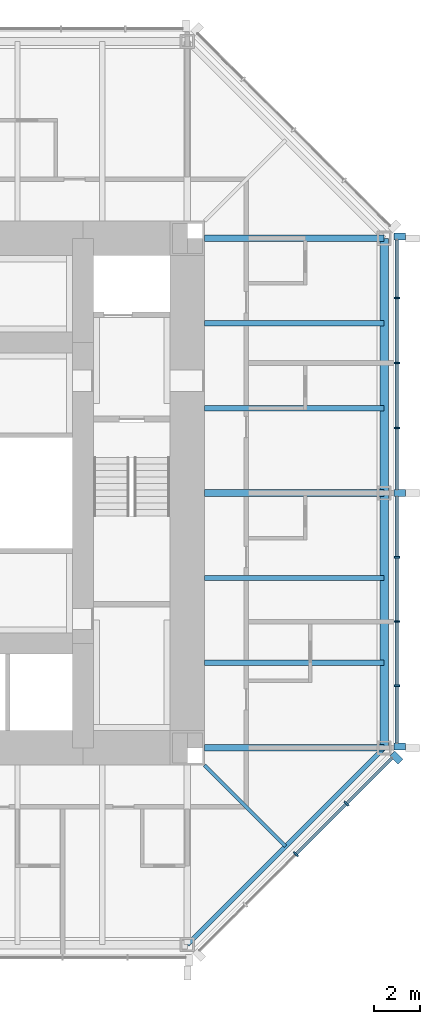
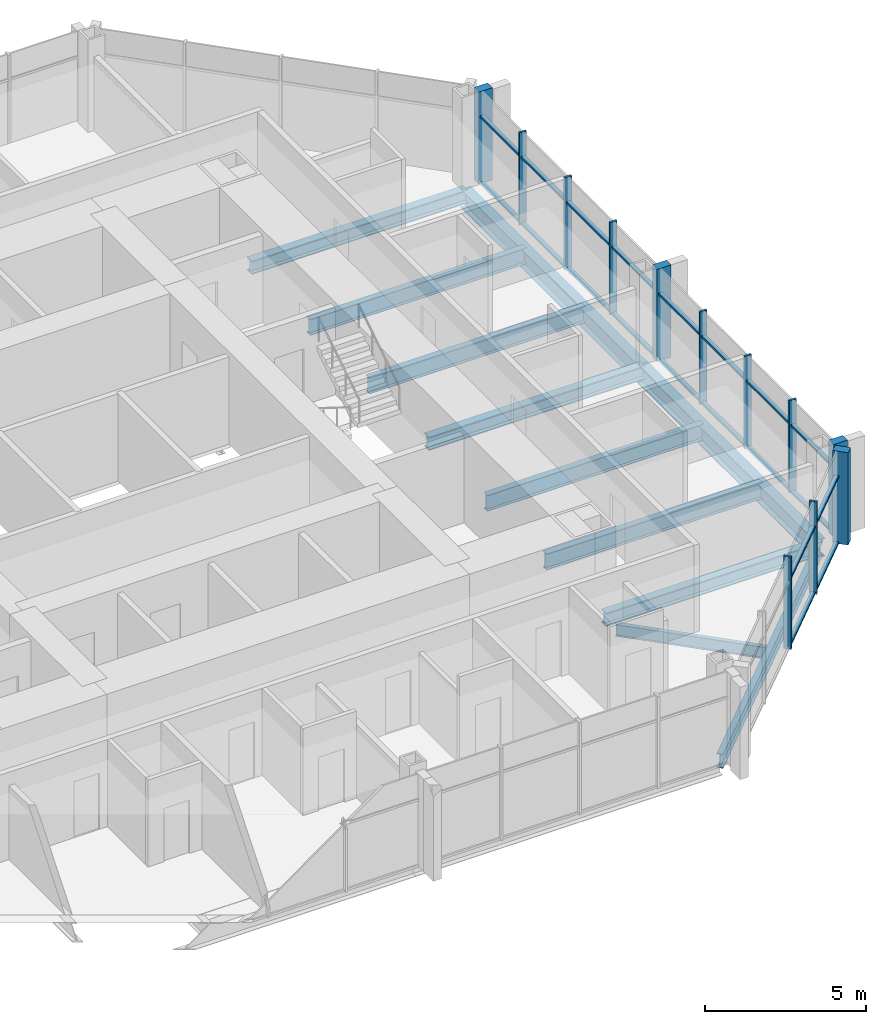
# One storey, part 4 of 12: 32 members, 11 beams, 2 elements without a shape of their own.
"""IFC4 building model written with IfcOpenShell, lengths in metres."""

from ifc_helpers import new_model, si_unit, direction, frame, origin, origin_2d, place, context, subcontext, project, spatial, rectangle, i_section, extrude, material, material_profile, profile_set, type_object, element, aggregate, save


model = new_model("IFC4")

# Units and contexts
model_context = context("Model", 3, precision=1e-05, world=origin(), true_north=direction((0.0, 1.0)))
body_context = subcontext(model_context, "Body", "Model", "MODEL_VIEW")
ifc_project = project(units=[si_unit("LENGTHUNIT", "METRE"), si_unit("AREAUNIT", "SQUARE_METRE"), si_unit("VOLUMEUNIT", "CUBIC_METRE"), si_unit("PLANEANGLEUNIT", "RADIAN"), si_unit("MASSUNIT", "GRAM", prefix="KILO")], contexts=[model_context])

# Site, building, storey
site_placement = place(None, origin())
site = spatial("IfcSite", under=ifc_project, at=site_placement, CompositionType="ELEMENT")
building_placement = place(site_placement, origin())
building = spatial("IfcBuilding", under=site, at=building_placement, Name="Trevanion Tower", CompositionType="ELEMENT")
storey_placement = place(building_placement, frame((0.0, 0.0, 201.199951171875)))
storey = spatial("IfcBuildingStorey", under=building, at=storey_placement, Name="L47", CompositionType="ELEMENT", Elevation=201.199951171875)

# Beams
ifc_material_1 = material(Name="Steel ASTM A992 Grade 50", Category="steel")
ifc_material_profile_1 = material_profile(ifc_material_1, i_section(OverallWidth=0.228271484375, OverallDepth=0.607177734375, WebThickness=0.01123046875, FlangeThickness=0.017333984375, at=origin_2d()), Name="W24X76")
ifc_profile_set_1 = profile_set([ifc_material_profile_1], Name="Steel ASTM A992 Grade 50")
beam_type_1 = type_object("IfcBeamType", Name="B11 W24X76", PredefinedType="BEAM", material=ifc_profile_set_1)
for number, where, z_axis, x_axis, name in (
    (1, (11.75, -7.333251953125, -0.493408203125), (1.0, 0.0, 0.0), (0.0, 1.0, 0.0), "B11 L47"),
    (2, (11.75, -3.666748046875, -0.493408203125), (1.0, 0.0, 0.0), (0.0, 1.0, 0.0), "B11 L47"),
    (3, (11.75, 3.666748046875, -0.493408203125), (1.0, 0.0, 0.0), (0.0, 1.0, 0.0), "B11 L47"),
    (4, (11.75, 7.333251953125, -0.493408203125), (1.0, 0.0, 0.0), (0.0, 1.0, 0.0), "B11 L47"),
):
    element("IfcBeam", number, at=place(storey_placement, frame(where, z_axis=z_axis, x_axis=x_axis)), inside=storey, type_object=beam_type_1, Name=name, PredefinedType="BEAM", context=body_context, shape_type="SweptSolid", body=[
        extrude(i_section(OverallWidth=0.228271484375, OverallDepth=0.607177734375, WebThickness=0.01123046875, FlangeThickness=0.017333984375, at=origin_2d()), origin(), (0.0, 0.0, 1.0), 7.75),
    ])
ifc_material_2 = material(Name="Steel ASTM A992 Grade 50", Category="steel")
ifc_material_profile_2 = material_profile(ifc_material_2, i_section(OverallWidth=0.15234375, OverallDepth=0.449462890625, WebThickness=0.007568359375, FlangeThickness=0.0107421875, at=origin_2d()), Name="W18X35")
ifc_profile_set_2 = profile_set([ifc_material_profile_2], Name="Steel ASTM A992 Grade 50")
beam_type_2 = type_object("IfcBeamType", Name="B12 W18X35", PredefinedType="BEAM", material=ifc_profile_set_2)
beam_1_placement = place(storey_placement, frame((11.75, -11.75, -0.414794921875), z_axis=(0.707106781187, -0.707106781187, 0.0), x_axis=(0.707106781187, 0.707106781187, 0.0)))
element("IfcBeam", 5, at=beam_1_placement, inside=storey, type_object=beam_type_2, Name="B12 L47", PredefinedType="BEAM", context=body_context, shape_type="SweptSolid", body=[
    extrude(i_section(OverallWidth=0.15234375, OverallDepth=0.449462890625, WebThickness=0.007568359375, FlangeThickness=0.0107421875, at=origin_2d()), origin(), (0.0, 0.0, 1.0), 4.94970703125),
])

# Curtain wall, members
ifc_material_3 = material(Name="Aluminium and glass", Category="aluminium")
curtain_wall_type = type_object("IfcCurtainWallType", Name="CW3 curtain wall", PredefinedType="USERDEFINED", material=ifc_material_3)
curtain_wall_1_placement = place(storey_placement, origin())
curtain_wall_1 = element("IfcCurtainWall", 6, at=curtain_wall_1_placement, inside=storey, type_object=curtain_wall_type, Name="CW3 L47 0", ObjectType="UNITISED CURTAIN WALL", PredefinedType="USERDEFINED")
ifc_material_4 = material(Name="Aluminium extrusion, anodised bronze", Category="aluminium")
ifc_material_profile_3 = material_profile(ifc_material_4, rectangle(XDim=0.074951171875, YDim=0.25, at=origin_2d()), Name="CW3 mullion")
ifc_profile_set_3 = profile_set([ifc_material_profile_3], Name="Aluminium extrusion, anodised bronze")
member_type_1 = type_object("IfcMemberType", Name="CW3 mullion", PredefinedType="MULLION", material=ifc_profile_set_3)
member_1_placement = place(storey_placement, frame((20.050048828125, -8.323486328125, -0.18994140625), z_axis=(0.0, 0.0, 1.0), x_axis=(0.0, 1.0, 0.0)))
member_1 = element("IfcMember", 7, at=member_1_placement, type_object=member_type_1, Name="CW3 mullion 2", PredefinedType="MULLION", context=body_context, shape_type="SweptSolid", body=[
    extrude(rectangle(XDim=0.074951171875, YDim=0.25, at=origin_2d()), origin(), (0.0, 0.0, 1.0), 3.5),
])
member_2_placement = place(storey_placement, frame((20.050048828125, -5.548828125, -0.18994140625), z_axis=(0.0, 0.0, 1.0), x_axis=(0.0, 1.0, 0.0)))
member_2 = element("IfcMember", 8, at=member_2_placement, type_object=member_type_1, Name="CW3 mullion 3", PredefinedType="MULLION", context=body_context, shape_type="SweptSolid", body=[
    extrude(rectangle(XDim=0.074951171875, YDim=0.25, at=origin_2d()), origin(), (0.0, 0.0, 1.0), 3.5),
])
member_3_placement = place(storey_placement, frame((20.050048828125, -2.7744140625, -0.18994140625), z_axis=(0.0, 0.0, 1.0), x_axis=(0.0, 1.0, 0.0)))
member_3 = element("IfcMember", 9, at=member_3_placement, type_object=member_type_1, Name="CW3 mullion 4", PredefinedType="MULLION", context=body_context, shape_type="SweptSolid", body=[
    extrude(rectangle(XDim=0.074951171875, YDim=0.25, at=origin_2d()), origin(), (0.0, 0.0, 1.0), 3.5),
])
member_4_placement = place(storey_placement, frame((20.050048828125, 2.806884765625, -0.18994140625), z_axis=(0.0, 0.0, 1.0), x_axis=(0.0, 1.0, 0.0)))
member_4 = element("IfcMember", 10, at=member_4_placement, type_object=member_type_1, Name="CW3 mullion 6", PredefinedType="MULLION", context=body_context, shape_type="SweptSolid", body=[
    extrude(rectangle(XDim=0.074951171875, YDim=0.25, at=origin_2d()), origin(), (0.0, 0.0, 1.0), 3.5),
])
member_5_placement = place(storey_placement, frame((20.050048828125, 5.614013671875, -0.18994140625), z_axis=(0.0, 0.0, 1.0), x_axis=(0.0, 1.0, 0.0)))
member_5 = element("IfcMember", 11, at=member_5_placement, type_object=member_type_1, Name="CW3 mullion 7", PredefinedType="MULLION", context=body_context, shape_type="SweptSolid", body=[
    extrude(rectangle(XDim=0.074951171875, YDim=0.25, at=origin_2d()), origin(), (0.0, 0.0, 1.0), 3.5),
])
member_6_placement = place(storey_placement, frame((20.050048828125, 8.4208984375, -0.18994140625), z_axis=(0.0, 0.0, 1.0), x_axis=(0.0, 1.0, 0.0)))
member_6 = element("IfcMember", 12, at=member_6_placement, type_object=member_type_1, Name="CW3 mullion 8", PredefinedType="MULLION", context=body_context, shape_type="SweptSolid", body=[
    extrude(rectangle(XDim=0.074951171875, YDim=0.25, at=origin_2d()), origin(), (0.0, 0.0, 1.0), 3.5),
])

curtain_wall_2_placement = place(storey_placement, origin())
curtain_wall_2 = element("IfcCurtainWall", 13, at=curtain_wall_2_placement, inside=storey, type_object=curtain_wall_type, Name="CW3 L47 7", ObjectType="UNITISED CURTAIN WALL", PredefinedType="USERDEFINED")
member_7_placement = place(storey_placement, frame((15.684814453125, -15.593017578125, -0.18994140625), z_axis=(0.0, 0.0, 1.0), x_axis=(0.707106781187, 0.707106781187, 0.0)))
member_7 = element("IfcMember", 14, at=member_7_placement, type_object=member_type_1, Name="CW3 mullion 3", PredefinedType="MULLION", context=body_context, shape_type="SweptSolid", body=[
    extrude(rectangle(XDim=0.074951171875, YDim=0.25, at=origin_2d()), origin(), (0.0, 0.0, 1.0), 3.5),
])
member_8_placement = place(storey_placement, frame((17.867431640625, -13.410400390625, -0.18994140625), z_axis=(0.0, 0.0, 1.0), x_axis=(0.707106781187, 0.707106781187, 0.0)))
member_8 = element("IfcMember", 15, at=member_8_placement, type_object=member_type_1, Name="CW3 mullion 4", PredefinedType="MULLION", context=body_context, shape_type="SweptSolid", body=[
    extrude(rectangle(XDim=0.074951171875, YDim=0.25, at=origin_2d()), origin(), (0.0, 0.0, 1.0), 3.5),
])

# Member
ifc_material_5 = material(Name="Aluminium extrusion, anodised bronze", Category="aluminium")
ifc_material_profile_4 = material_profile(ifc_material_5, rectangle(XDim=0.300048828125, YDim=0.5, at=origin_2d()), Name="CW3 pier mullion")
ifc_profile_set_4 = profile_set([ifc_material_profile_4], Name="Aluminium extrusion, anodised bronze")
member_type_2 = type_object("IfcMemberType", Name="CW3 pier mullion", PredefinedType="MULLION", material=ifc_profile_set_4)
member_9_placement = place(storey_placement, frame((20.175048828125, -10.94775390625, -0.18994140625), z_axis=(0.0, 0.0, 1.0), x_axis=(0.0, 1.0, 0.0)))
member_9 = element("IfcMember", 16, at=member_9_placement, type_object=member_type_2, Name="CW3 pier mullion 1", PredefinedType="MULLION", context=body_context, shape_type="SweptSolid", body=[
    extrude(rectangle(XDim=0.300048828125, YDim=0.5, at=origin_2d()), origin(), (0.0, 0.0, 1.0), 3.5),
])

member_10_placement = place(storey_placement, frame((20.175048828125, 0.0, -0.18994140625), z_axis=(0.0, 0.0, 1.0), x_axis=(0.0, 1.0, 0.0)))
member_10 = element("IfcMember", 17, at=member_10_placement, type_object=member_type_2, Name="CW3 pier mullion 5", PredefinedType="MULLION", context=body_context, shape_type="SweptSolid", body=[
    extrude(rectangle(XDim=0.300048828125, YDim=0.5, at=origin_2d()), origin(), (0.0, 0.0, 1.0), 3.5),
])

member_11_placement = place(storey_placement, frame((20.175048828125, 11.077880859375, -0.18994140625), z_axis=(0.0, 0.0, 1.0), x_axis=(0.0, 1.0, 0.0)))
member_11 = element("IfcMember", 18, at=member_11_placement, type_object=member_type_2, Name="CW3 pier mullion 9", PredefinedType="MULLION", context=body_context, shape_type="SweptSolid", body=[
    extrude(rectangle(XDim=0.300048828125, YDim=0.5, at=origin_2d()), origin(), (0.0, 0.0, 1.0), 3.5),
])

member_12_placement = place(storey_placement, frame((20.0322265625, -11.42236328125, -0.18994140625), z_axis=(0.0, 0.0, 1.0), x_axis=(0.707106781187, 0.707106781187, 0.0)))
member_12 = element("IfcMember", 19, at=member_12_placement, type_object=member_type_2, Name="CW3 pier mullion 5", PredefinedType="MULLION", context=body_context, shape_type="SweptSolid", body=[
    extrude(rectangle(XDim=0.300048828125, YDim=0.5, at=origin_2d()), origin(), (0.0, 0.0, 1.0), 3.5),
])

ifc_material_6 = material(Name="Aluminium extrusion, anodised bronze", Category="aluminium")
ifc_material_profile_5 = material_profile(ifc_material_6, rectangle(XDim=0.14990234375, YDim=0.074951171875, at=origin_2d()), Name="CW3 transom")
ifc_profile_set_5 = profile_set([ifc_material_profile_5], Name="Aluminium extrusion, anodised bronze")
member_type_3 = type_object("IfcMemberType", Name="CW3 transom", PredefinedType="USERDEFINED", material=ifc_profile_set_5)
member_13_placement = place(storey_placement, frame((20.050048828125, -10.7978515625, -0.15234375), z_axis=(0.0, 1.0, 0.0), x_axis=(-1.0, 0.0, 0.0)))
member_13 = element("IfcMember", 20, at=member_13_placement, type_object=member_type_3, Name="CW3 transom 1.1", ObjectType="TRANSOM", PredefinedType="USERDEFINED", context=body_context, shape_type="SweptSolid", body=[
    extrude(rectangle(XDim=0.14990234375, YDim=0.074951171875, at=origin_2d()), origin(), (0.0, 0.0, 1.0), 2.43701171875),
])

member_14_placement = place(storey_placement, frame((20.050048828125, -10.7978515625, 2.360107421875), z_axis=(0.0, 1.0, 0.0), x_axis=(-1.0, 0.0, 0.0)))
member_14 = element("IfcMember", 21, at=member_14_placement, type_object=member_type_3, Name="CW3 transom 1.2", ObjectType="TRANSOM", PredefinedType="USERDEFINED", context=body_context, shape_type="SweptSolid", body=[
    extrude(rectangle(XDim=0.14990234375, YDim=0.074951171875, at=origin_2d()), origin(), (0.0, 0.0, 1.0), 2.43701171875),
])

member_15_placement = place(storey_placement, frame((20.050048828125, -8.285888671875, -0.15234375), z_axis=(0.0, 1.0, 0.0), x_axis=(-1.0, 0.0, 0.0)))
member_15 = element("IfcMember", 22, at=member_15_placement, type_object=member_type_3, Name="CW3 transom 2.1", ObjectType="TRANSOM", PredefinedType="USERDEFINED", context=body_context, shape_type="SweptSolid", body=[
    extrude(rectangle(XDim=0.14990234375, YDim=0.074951171875, at=origin_2d()), origin(), (0.0, 0.0, 1.0), 2.699462890625),
])

member_16_placement = place(storey_placement, frame((20.050048828125, -8.285888671875, 2.360107421875), z_axis=(0.0, 1.0, 0.0), x_axis=(-1.0, 0.0, 0.0)))
member_16 = element("IfcMember", 23, at=member_16_placement, type_object=member_type_3, Name="CW3 transom 2.2", ObjectType="TRANSOM", PredefinedType="USERDEFINED", context=body_context, shape_type="SweptSolid", body=[
    extrude(rectangle(XDim=0.14990234375, YDim=0.074951171875, at=origin_2d()), origin(), (0.0, 0.0, 1.0), 2.699462890625),
])

member_17_placement = place(storey_placement, frame((20.050048828125, -5.511474609375, -0.15234375), z_axis=(0.0, 1.0, 0.0), x_axis=(-1.0, 0.0, 0.0)))
member_17 = element("IfcMember", 24, at=member_17_placement, type_object=member_type_3, Name="CW3 transom 3.1", ObjectType="TRANSOM", PredefinedType="USERDEFINED", context=body_context, shape_type="SweptSolid", body=[
    extrude(rectangle(XDim=0.14990234375, YDim=0.074951171875, at=origin_2d()), origin(), (0.0, 0.0, 1.0), 2.699462890625),
])

member_18_placement = place(storey_placement, frame((20.050048828125, -5.511474609375, 2.360107421875), z_axis=(0.0, 1.0, 0.0), x_axis=(-1.0, 0.0, 0.0)))
member_18 = element("IfcMember", 25, at=member_18_placement, type_object=member_type_3, Name="CW3 transom 3.2", ObjectType="TRANSOM", PredefinedType="USERDEFINED", context=body_context, shape_type="SweptSolid", body=[
    extrude(rectangle(XDim=0.14990234375, YDim=0.074951171875, at=origin_2d()), origin(), (0.0, 0.0, 1.0), 2.699462890625),
])

member_19_placement = place(storey_placement, frame((20.050048828125, -2.737060546875, -0.15234375), z_axis=(0.0, 1.0, 0.0), x_axis=(-1.0, 0.0, 0.0)))
member_19 = element("IfcMember", 26, at=member_19_placement, type_object=member_type_3, Name="CW3 transom 4.1", ObjectType="TRANSOM", PredefinedType="USERDEFINED", context=body_context, shape_type="SweptSolid", body=[
    extrude(rectangle(XDim=0.14990234375, YDim=0.074951171875, at=origin_2d()), origin(), (0.0, 0.0, 1.0), 2.587158203125),
])

member_20_placement = place(storey_placement, frame((20.050048828125, -2.737060546875, 2.360107421875), z_axis=(0.0, 1.0, 0.0), x_axis=(-1.0, 0.0, 0.0)))
member_20 = element("IfcMember", 27, at=member_20_placement, type_object=member_type_3, Name="CW3 transom 4.2", ObjectType="TRANSOM", PredefinedType="USERDEFINED", context=body_context, shape_type="SweptSolid", body=[
    extrude(rectangle(XDim=0.14990234375, YDim=0.074951171875, at=origin_2d()), origin(), (0.0, 0.0, 1.0), 2.587158203125),
])

member_21_placement = place(storey_placement, frame((20.050048828125, 0.14990234375, -0.15234375), z_axis=(0.0, 1.0, 0.0), x_axis=(-1.0, 0.0, 0.0)))
member_21 = element("IfcMember", 28, at=member_21_placement, type_object=member_type_3, Name="CW3 transom 5.1", ObjectType="TRANSOM", PredefinedType="USERDEFINED", context=body_context, shape_type="SweptSolid", body=[
    extrude(rectangle(XDim=0.14990234375, YDim=0.074951171875, at=origin_2d()), origin(), (0.0, 0.0, 1.0), 2.619384765625),
])

member_22_placement = place(storey_placement, frame((20.050048828125, 0.14990234375, 2.360107421875), z_axis=(0.0, 1.0, 0.0), x_axis=(-1.0, 0.0, 0.0)))
member_22 = element("IfcMember", 29, at=member_22_placement, type_object=member_type_3, Name="CW3 transom 5.2", ObjectType="TRANSOM", PredefinedType="USERDEFINED", context=body_context, shape_type="SweptSolid", body=[
    extrude(rectangle(XDim=0.14990234375, YDim=0.074951171875, at=origin_2d()), origin(), (0.0, 0.0, 1.0), 2.619384765625),
])

member_23_placement = place(storey_placement, frame((20.050048828125, 2.844482421875, -0.15234375), z_axis=(0.0, 1.0, 0.0), x_axis=(-1.0, 0.0, 0.0)))
member_23 = element("IfcMember", 30, at=member_23_placement, type_object=member_type_3, Name="CW3 transom 6.1", ObjectType="TRANSOM", PredefinedType="USERDEFINED", context=body_context, shape_type="SweptSolid", body=[
    extrude(rectangle(XDim=0.14990234375, YDim=0.074951171875, at=origin_2d()), origin(), (0.0, 0.0, 1.0), 2.73193359375),
])

member_24_placement = place(storey_placement, frame((20.050048828125, 2.844482421875, 2.360107421875), z_axis=(0.0, 1.0, 0.0), x_axis=(-1.0, 0.0, 0.0)))
member_24 = element("IfcMember", 31, at=member_24_placement, type_object=member_type_3, Name="CW3 transom 6.2", ObjectType="TRANSOM", PredefinedType="USERDEFINED", context=body_context, shape_type="SweptSolid", body=[
    extrude(rectangle(XDim=0.14990234375, YDim=0.074951171875, at=origin_2d()), origin(), (0.0, 0.0, 1.0), 2.73193359375),
])

member_25_placement = place(storey_placement, frame((20.050048828125, 5.6513671875, -0.15234375), z_axis=(0.0, 1.0, 0.0), x_axis=(-1.0, 0.0, 0.0)))
member_25 = element("IfcMember", 32, at=member_25_placement, type_object=member_type_3, Name="CW3 transom 7.1", ObjectType="TRANSOM", PredefinedType="USERDEFINED", context=body_context, shape_type="SweptSolid", body=[
    extrude(rectangle(XDim=0.14990234375, YDim=0.074951171875, at=origin_2d()), origin(), (0.0, 0.0, 1.0), 2.73193359375),
])

member_26_placement = place(storey_placement, frame((20.050048828125, 5.6513671875, 2.360107421875), z_axis=(0.0, 1.0, 0.0), x_axis=(-1.0, 0.0, 0.0)))
member_26 = element("IfcMember", 33, at=member_26_placement, type_object=member_type_3, Name="CW3 transom 7.2", ObjectType="TRANSOM", PredefinedType="USERDEFINED", context=body_context, shape_type="SweptSolid", body=[
    extrude(rectangle(XDim=0.14990234375, YDim=0.074951171875, at=origin_2d()), origin(), (0.0, 0.0, 1.0), 2.73193359375),
])

member_27_placement = place(storey_placement, frame((20.050048828125, 8.45849609375, -0.15234375), z_axis=(0.0, 1.0, 0.0), x_axis=(-1.0, 0.0, 0.0)))
member_27 = element("IfcMember", 34, at=member_27_placement, type_object=member_type_3, Name="CW3 transom 8.1", ObjectType="TRANSOM", PredefinedType="USERDEFINED", context=body_context, shape_type="SweptSolid", body=[
    extrude(rectangle(XDim=0.14990234375, YDim=0.074951171875, at=origin_2d()), origin(), (0.0, 0.0, 1.0), 2.46923828125),
])

member_28_placement = place(storey_placement, frame((20.050048828125, 8.45849609375, 2.360107421875), z_axis=(0.0, 1.0, 0.0), x_axis=(-1.0, 0.0, 0.0)))
member_28 = element("IfcMember", 35, at=member_28_placement, type_object=member_type_3, Name="CW3 transom 8.2", ObjectType="TRANSOM", PredefinedType="USERDEFINED", context=body_context, shape_type="SweptSolid", body=[
    extrude(rectangle(XDim=0.14990234375, YDim=0.074951171875, at=origin_2d()), origin(), (0.0, 0.0, 1.0), 2.46923828125),
])

aggregate(curtain_wall_1, [member_9, member_1, member_2, member_3, member_10, member_4, member_5, member_6, member_11, member_13, member_14, member_15, member_16, member_17, member_18, member_19, member_20, member_21, member_22, member_23, member_24, member_25, member_26, member_27, member_28])

member_29_placement = place(storey_placement, frame((15.71142578125, -15.56640625, -0.15234375), z_axis=(0.707106781187, 0.707106781187, 0.0), x_axis=(-0.707106781187, 0.707106781187, 0.0)))
member_29 = element("IfcMember", 36, at=member_29_placement, type_object=member_type_3, Name="CW3 transom 3.1", ObjectType="TRANSOM", PredefinedType="USERDEFINED", context=body_context, shape_type="SweptSolid", body=[
    extrude(rectangle(XDim=0.14990234375, YDim=0.074951171875, at=origin_2d()), origin(), (0.0, 0.0, 1.0), 3.011474609375),
])

member_30_placement = place(storey_placement, frame((15.71142578125, -15.56640625, 2.360107421875), z_axis=(0.707106781187, 0.707106781187, 0.0), x_axis=(-0.707106781187, 0.707106781187, 0.0)))
member_30 = element("IfcMember", 37, at=member_30_placement, type_object=member_type_3, Name="CW3 transom 3.2", ObjectType="TRANSOM", PredefinedType="USERDEFINED", context=body_context, shape_type="SweptSolid", body=[
    extrude(rectangle(XDim=0.14990234375, YDim=0.074951171875, at=origin_2d()), origin(), (0.0, 0.0, 1.0), 3.011474609375),
])

member_31_placement = place(storey_placement, frame((17.89404296875, -13.3837890625, -0.15234375), z_axis=(0.707106781187, 0.707106781187, 0.0), x_axis=(-0.707106781187, 0.707106781187, 0.0)))
member_31 = element("IfcMember", 38, at=member_31_placement, type_object=member_type_3, Name="CW3 transom 4.1", ObjectType="TRANSOM", PredefinedType="USERDEFINED", context=body_context, shape_type="SweptSolid", body=[
    extrude(rectangle(XDim=0.14990234375, YDim=0.074951171875, at=origin_2d()), origin(), (0.0, 0.0, 1.0), 2.7490234375),
])

member_32_placement = place(storey_placement, frame((17.89404296875, -13.3837890625, 2.360107421875), z_axis=(0.707106781187, 0.707106781187, 0.0), x_axis=(-0.707106781187, 0.707106781187, 0.0)))
member_32 = element("IfcMember", 39, at=member_32_placement, type_object=member_type_3, Name="CW3 transom 4.2", ObjectType="TRANSOM", PredefinedType="USERDEFINED", context=body_context, shape_type="SweptSolid", body=[
    extrude(rectangle(XDim=0.14990234375, YDim=0.074951171875, at=origin_2d()), origin(), (0.0, 0.0, 1.0), 2.7490234375),
])

aggregate(curtain_wall_2, [member_7, member_8, member_12, member_29, member_30, member_31, member_32])

# Beams
ifc_material_7 = material(Name="Steel ASTM A992 Grade 50", Category="steel")
ifc_material_profile_6 = material_profile(ifc_material_7, i_section(OverallWidth=0.28955078125, OverallDepth=0.508056640625, WebThickness=0.022705078125, FlangeThickness=0.040283203125, at=origin_2d()), Name="W18X175")
ifc_profile_set_6 = profile_set([ifc_material_profile_6], Name="Steel ASTM A992 Grade 50")
beam_type_3 = type_object("IfcBeamType", Name="G6 W18X175", PredefinedType="BEAM", material=ifc_profile_set_6)
for number, where, z_axis, x_axis, name in (
    (40, (11.75, -11.0, -0.44384765625), (1.0, 0.0, 0.0), (0.0, 1.0, 0.0), "G6 L47"),
    (41, (11.75, 0.0, -0.44384765625), (1.0, 0.0, 0.0), (0.0, 1.0, 0.0), "G6 L47"),
    (42, (11.75, 11.0, -0.44384765625), (1.0, 0.0, 0.0), (0.0, 1.0, 0.0), "G6 L47"),
):
    element("IfcBeam", number, at=place(storey_placement, frame(where, z_axis=z_axis, x_axis=x_axis)), inside=storey, type_object=beam_type_3, Name=name, PredefinedType="BEAM", context=body_context, shape_type="SweptSolid", body=[
        extrude(i_section(OverallWidth=0.28955078125, OverallDepth=0.508056640625, WebThickness=0.022705078125, FlangeThickness=0.040283203125, at=origin_2d()), origin(), (0.0, 0.0, 1.0), 7.75),
    ])
ifc_material_8 = material(Name="Steel ASTM A992 Grade 50", Category="steel")
ifc_material_profile_7 = material_profile(ifc_material_8, i_section(OverallWidth=0.355712890625, OverallDepth=0.696044921875, WebThickness=0.015380859375, FlangeThickness=0.024658203125, at=origin_2d()), Name="W27X146")
ifc_profile_set_7 = profile_set([ifc_material_profile_7], Name="Steel ASTM A992 Grade 50")
beam_type_4 = type_object("IfcBeamType", Name="SB8 W27X146", PredefinedType="SPANDREL", material=ifc_profile_set_7)
for number, where, z_axis, x_axis, name in (
    (43, (19.5, -11.0, -0.537841796875), (0.0, 1.0, 0.0), (-1.0, 0.0, 0.0), "SB8 L47"),
    (44, (19.5, 0.0, -0.537841796875), (0.0, 1.0, 0.0), (-1.0, 0.0, 0.0), "SB8 L47"),
):
    element("IfcBeam", number, at=place(storey_placement, frame(where, z_axis=z_axis, x_axis=x_axis)), inside=storey, type_object=beam_type_4, Name=name, PredefinedType="SPANDREL", context=body_context, shape_type="SweptSolid", body=[
        extrude(i_section(OverallWidth=0.355712890625, OverallDepth=0.696044921875, WebThickness=0.015380859375, FlangeThickness=0.024658203125, at=origin_2d()), origin(), (0.0, 0.0, 1.0), 11.0),
    ])
ifc_material_9 = material(Name="Steel ASTM A992 Grade 50", Category="steel")
ifc_material_profile_8 = material_profile(ifc_material_9, i_section(OverallWidth=0.209228515625, OverallDepth=0.533447265625, WebThickness=0.01025390625, FlangeThickness=0.015625, at=origin_2d()), Name="W21X62")
ifc_profile_set_8 = profile_set([ifc_material_profile_8], Name="Steel ASTM A992 Grade 50")
beam_type_5 = type_object("IfcBeamType", Name="SB9 W21X62", PredefinedType="SPANDREL", material=ifc_profile_set_8)
beam_2_placement = place(storey_placement, frame((11.0, -19.5, -0.45654296875), z_axis=(0.707106781187, 0.707106781187, 0.0), x_axis=(-0.707106781187, 0.707106781187, 0.0)))
element("IfcBeam", 45, at=beam_2_placement, inside=storey, type_object=beam_type_5, Name="SB9 L47", PredefinedType="SPANDREL", context=body_context, shape_type="SweptSolid", body=[
    extrude(i_section(OverallWidth=0.209228515625, OverallDepth=0.533447265625, WebThickness=0.01025390625, FlangeThickness=0.015625, at=origin_2d()), origin(), (0.0, 0.0, 1.0), 12.020751953125),
])

save(model, "model.ifc")
